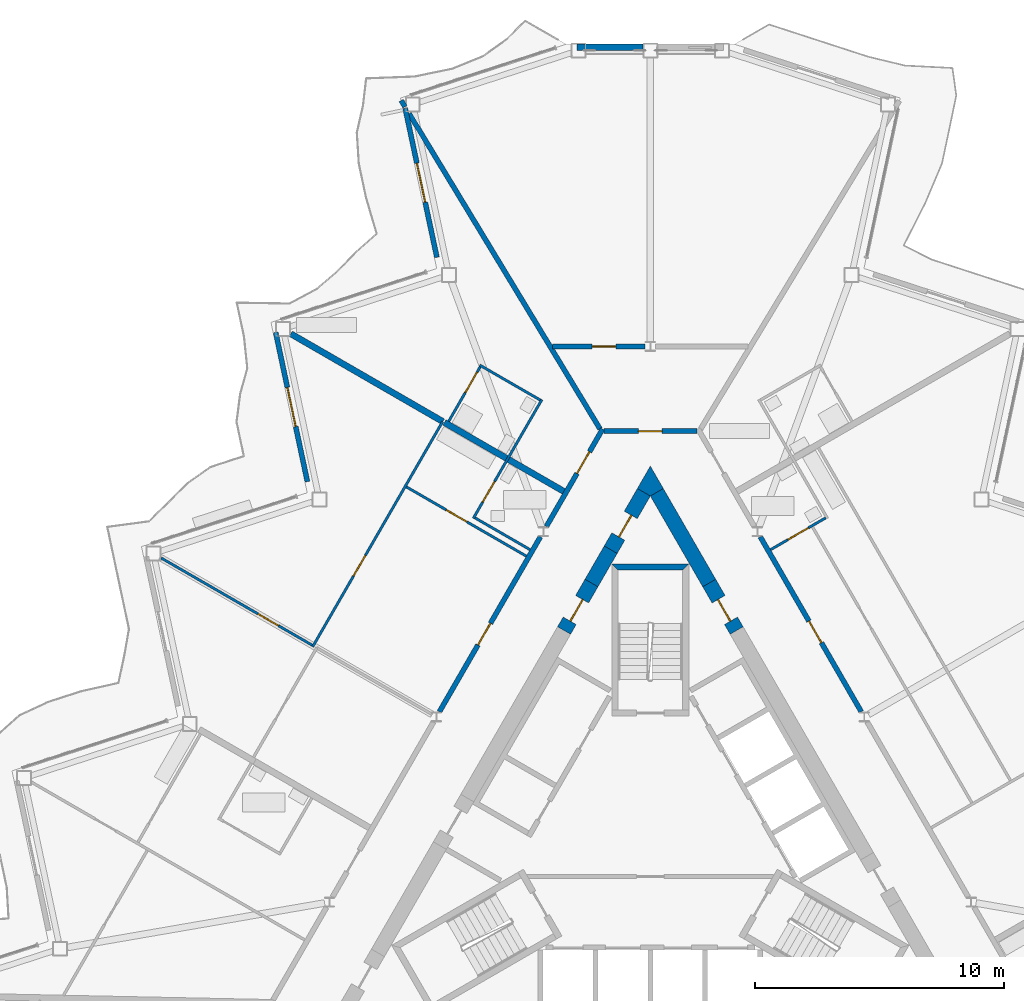
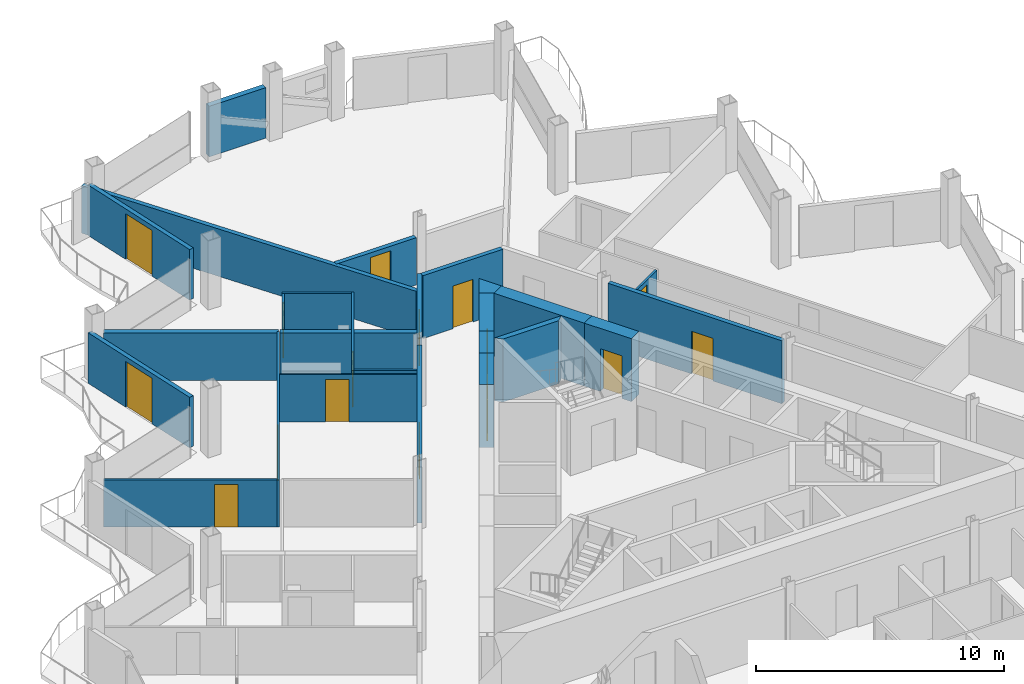
# One storey, part 18 of 27: 27 walls, 16 doors, 16 openings.
"""IFC4 building model written with IfcOpenShell, lengths in metres."""

from ifc_helpers import new_model, si_unit, direction, frame, frame_2d, origin, place, context, subcontext, project, spatial, polyline, rectangle, outline, extrude, material, layer, layer_set, type_object, element, fill, save


model = new_model("IFC4")

# Units and contexts
model_context = context("Model", 3, precision=1e-05, world=origin(), true_north=direction((0.0, 1.0)))
body_context = subcontext(model_context, "Body", "Model", "MODEL_VIEW")
ifc_project = project(units=[si_unit("LENGTHUNIT", "METRE"), si_unit("AREAUNIT", "SQUARE_METRE"), si_unit("VOLUMEUNIT", "CUBIC_METRE"), si_unit("PLANEANGLEUNIT", "RADIAN"), si_unit("MASSUNIT", "GRAM", prefix="KILO")], contexts=[model_context])

# Site, building, storey
site_placement = place(None, origin())
site = spatial("IfcSite", under=ifc_project, at=site_placement, CompositionType="ELEMENT")
building_placement = place(site_placement, origin())
building = spatial("IfcBuilding", under=site, at=building_placement, Name="Cormorant Prow Tower", CompositionType="ELEMENT")
storey_placement = place(building_placement, frame((0.0, 0.0, 312.0)))
storey = spatial("IfcBuildingStorey", under=building, at=storey_placement, Name="L68", CompositionType="ELEMENT", Elevation=312.0)

# Walls
ifc_material_1 = material(Name="Concrete 8000 psi", Category="concrete")
ifc_layer_1 = layer(ifc_material_1, 0.60009765625)
ifc_layer_set_1 = layer_set([ifc_layer_1], Name="Concrete 8000 psi")
wall_type_1 = type_object("IfcWallType", Name="Core shear wall 600", PredefinedType="SHEAR", material=ifc_layer_set_1)
wall_1_placement = place(storey_placement, frame((2.36083984375, 10.322021484375, 0.0), z_axis=(0.0, 0.0, 1.0), x_axis=(-0.500000735859, 0.866024978935, 0.0)))
element("IfcWall", 1, at=wall_1_placement, inside=storey, type_object=wall_type_1, Name="Core wall", PredefinedType="SHEAR", context=body_context, shape_type="SweptSolid", body=[
    extrude(rectangle(XDim=4.2021484375, YDim=0.60009765625, at=frame_2d((2.10107421875, 0.0))), origin(), (0.0, 0.0, 1.0), 3.10009765625),
])
wall_2_placement = place(storey_placement, frame((-1.589599609375, 11.65771484375, 0.0), z_axis=(0.0, 0.0, 1.0), x_axis=(-0.500037594623, -0.866003697431, 0.0)))
element("IfcWall", 2, at=wall_2_placement, inside=storey, type_object=wall_type_1, Name="Core wall", PredefinedType="SHEAR", context=body_context, shape_type="SweptSolid", body=[
    extrude(rectangle(XDim=1.54248046875, YDim=0.60009765625, at=frame_2d((0.771240234375, 0.0))), origin(), (0.0, 0.0, 1.0), 3.10009765625),
])
wall_3_placement = place(storey_placement, origin())
element("IfcWall", 3, at=wall_3_placement, inside=storey, type_object=wall_type_1, Name="Core wall corner", PredefinedType="SHEAR", context=body_context, shape_type="SweptSolid", body=[
    extrude(outline(polyline([(0.0, 13.81103515625), (-0.51953125, 14.111083984375), (0.0, 15.010986328125), (0.51953125, 14.111083984375), (0.0, 13.81103515625)])), origin(), (0.0, 0.0, 1.0), 3.10009765625),
])

# Wall, opening, door
wall_4_placement = place(storey_placement, frame((3.460693359375, 8.416748046875, 0.0), z_axis=(0.0, 0.0, 1.0), x_axis=(-0.499946605688, 0.86605622881, 0.0)))
wall_4 = element("IfcWall", 4, at=wall_4_placement, inside=storey, type_object=wall_type_1, Name="Core wall door panel", PredefinedType="SHEAR", context=body_context, shape_type="SweptSolid", body=[
    extrude(rectangle(XDim=2.199951171875, YDim=0.60009765625, at=frame_2d((1.10009765625, 0.0))), origin(), (0.0, 0.0, 1.0), 3.10009765625),
])
opening_1_placement = place(wall_4_placement, frame((0.449951171875, 0.0, 0.0)))
opening_1 = element("IfcOpeningElement", 5, at=opening_1_placement, cuts=wall_4, Name="Opening L68-C17", PredefinedType="OPENING", context=body_context, shape_type="SweptSolid", body=[
    extrude(rectangle(XDim=1.0, YDim=2.10009765625, at=frame_2d((0.5, 1.050048828125))), frame((0.0, 0.31005859375, 0.0), z_axis=(0.0, -1.0, 0.0), x_axis=(1.0, 0.0, 0.0)), (0.0, 0.0, 1.0), 0.6201171875),
])
ifc_material_2 = material(Name="Painted steel", Category="steel")
door_type_1 = type_object("IfcDoorType", Name="Service door 1000x2100", OperationType="NOTDEFINED", PredefinedType="DOOR", material=ifc_material_2)
door_1_placement = place(opening_1_placement, origin())
door_1 = element("IfcDoor", 6, at=door_1_placement, inside=storey, type_object=door_type_1, Name="Core door, Mechanical riser room", OperationType="SINGLE_SWING_RIGHT", OverallHeight=2.10009765625, OverallWidth=1.0, PredefinedType="DOOR", context=body_context, shape_type="SweptSolid", body=[
    extrude(rectangle(XDim=1.0, YDim=2.10009765625, at=frame_2d((0.5, 1.050048828125))), frame((0.0, 0.05517578125, 0.0), z_axis=(0.0, -1.0, 0.0), x_axis=(1.0, 0.0, 0.0)), (0.0, 0.0, 1.0), 0.050048828125),
])
fill(opening_1, door_1)

wall_5_placement = place(storey_placement, frame((-2.36083984375, 10.322021484375, 0.0), z_axis=(0.0, 0.0, 1.0), x_axis=(-0.499946605688, -0.86605622881, 0.0)))
wall_5 = element("IfcWall", 7, at=wall_5_placement, inside=storey, type_object=wall_type_1, Name="Core wall door panel", PredefinedType="SHEAR", context=body_context, shape_type="SweptSolid", body=[
    extrude(rectangle(XDim=2.199951171875, YDim=0.60009765625, at=frame_2d((1.10009765625, 0.0))), origin(), (0.0, 0.0, 1.0), 3.10009765625),
])
opening_2_placement = place(wall_5_placement, frame((0.75, 0.0, 0.0)))
opening_2 = element("IfcOpeningElement", 8, at=opening_2_placement, cuts=wall_5, Name="Opening L68-C18", PredefinedType="OPENING", context=body_context, shape_type="SweptSolid", body=[
    extrude(rectangle(XDim=1.0, YDim=2.10009765625, at=frame_2d((0.5, 1.050048828125))), frame((0.0, 0.31005859375, 0.0), z_axis=(0.0, -1.0, 0.0), x_axis=(1.0, 0.0, 0.0)), (0.0, 0.0, 1.0), 0.6201171875),
])
door_2_placement = place(opening_2_placement, origin())
door_2 = element("IfcDoor", 9, at=door_2_placement, inside=storey, type_object=door_type_1, Name="Core door, Mechanical riser room", OperationType="SINGLE_SWING_LEFT", OverallHeight=2.10009765625, OverallWidth=1.0, PredefinedType="DOOR", context=body_context, shape_type="SweptSolid", body=[
    extrude(rectangle(XDim=1.0, YDim=2.10009765625, at=frame_2d((0.5, 1.050048828125))), frame((0.0, 0.05517578125, 0.0), z_axis=(0.0, -1.0, 0.0), x_axis=(1.0, 0.0, 0.0)), (0.0, 0.0, 1.0), 0.050048828125),
])
fill(opening_2, door_2)

wall_6_placement = place(storey_placement, frame((-0.259765625, 13.961181640625, 0.0), z_axis=(0.0, 0.0, 1.0), x_axis=(-0.49997936161, -0.866037319036, 0.0)))
wall_6 = element("IfcWall", 10, at=wall_6_placement, inside=storey, type_object=wall_type_1, Name="Core wall door panel", PredefinedType="SHEAR", context=body_context, shape_type="SweptSolid", body=[
    extrude(rectangle(XDim=2.65966796875, YDim=0.60009765625, at=frame_2d((1.329833984375, 0.0))), origin(), (0.0, 0.0, 1.0), 3.10009765625),
])
opening_3_placement = place(wall_6_placement, frame((1.050048828125, 0.0, 0.0)))
opening_3 = element("IfcOpeningElement", 11, at=opening_3_placement, cuts=wall_6, Name="Opening L68-C19", PredefinedType="OPENING", context=body_context, shape_type="SweptSolid", body=[
    extrude(rectangle(XDim=1.0, YDim=2.10009765625, at=frame_2d((0.5, 1.050048828125))), frame((0.0, 0.31005859375, 0.0), z_axis=(0.0, -1.0, 0.0), x_axis=(1.0, 0.0, 0.0)), (0.0, 0.0, 1.0), 0.6201171875),
])
door_3_placement = place(opening_3_placement, origin())
door_3 = element("IfcDoor", 12, at=door_3_placement, inside=storey, type_object=door_type_1, Name="Core door, Mechanical riser room", OperationType="SINGLE_SWING_RIGHT", OverallHeight=2.10009765625, OverallWidth=1.0, PredefinedType="DOOR", context=body_context, shape_type="SweptSolid", body=[
    extrude(rectangle(XDim=1.0, YDim=2.10009765625, at=frame_2d((0.5, 1.050048828125))), frame((0.0, 0.05517578125, 0.0), z_axis=(0.0, -1.0, 0.0), x_axis=(1.0, 0.0, 0.0)), (0.0, 0.0, 1.0), 0.050048828125),
])
fill(opening_3, door_3)

ifc_material_3 = material(Name="Gypsum board corridor wall")
ifc_layer_2 = layer(ifc_material_3, 0.199951171875)
ifc_layer_set_2 = layer_set([ifc_layer_2], Name="Gypsum board corridor wall")
wall_type_2 = type_object("IfcWallType", Name="Corridor wall 200", PredefinedType="PARTITIONING", material=ifc_layer_set_2)
wall_7_placement = place(storey_placement, frame((-8.45849609375, 5.160400390625, 0.0), z_axis=(0.0, 0.0, 1.0), x_axis=(0.499984266882, 0.866034487114, 0.0)))
wall_7 = element("IfcWall", 13, at=wall_7_placement, inside=storey, type_object=wall_type_2, Name="Corridor wall", PredefinedType="PARTITIONING", context=body_context, shape_type="SweptSolid", body=[
    extrude(rectangle(XDim=8.098876953125, YDim=0.199951171875, at=frame_2d((4.04931640625, 0.0))), origin(), (0.0, 0.0, 1.0), 3.10009765625),
])
opening_4_placement = place(wall_7_placement, frame((3.092529296875, 0.0, 0.0)))
opening_4 = element("IfcOpeningElement", 14, at=opening_4_placement, cuts=wall_7, Name="Opening L68-F37", PredefinedType="OPENING", context=body_context, shape_type="SweptSolid", body=[
    extrude(rectangle(XDim=1.0, YDim=2.10009765625, at=frame_2d((0.5, 1.050048828125))), frame((0.0, 0.10986328125, 0.0), z_axis=(0.0, -1.0, 0.0), x_axis=(1.0, 0.0, 0.0)), (0.0, 0.0, 1.0), 0.219970703125),
])
ifc_material_4 = material(Name="Timber door leaf", Category="wood")
door_type_2 = type_object("IfcDoorType", Name="Flat or room entrance door 1000x2100", OperationType="NOTDEFINED", PredefinedType="DOOR", material=ifc_material_4)
door_4_placement = place(opening_4_placement, origin())
door_4 = element("IfcDoor", 15, at=door_4_placement, inside=storey, type_object=door_type_2, Name="Living room door", OperationType="SINGLE_SWING_RIGHT", OverallHeight=2.10009765625, OverallWidth=1.0, PredefinedType="DOOR", context=body_context, shape_type="SweptSolid", body=[
    extrude(rectangle(XDim=1.0, YDim=2.10009765625, at=frame_2d((0.5, 1.050048828125))), frame((0.0, 0.02490234375, 0.0), z_axis=(0.0, -1.0, 0.0), x_axis=(1.0, 0.0, 0.0)), (0.0, 0.0, 1.0), 0.050048828125),
])
fill(opening_4, door_4)

wall_8_placement = place(storey_placement, frame((4.4091796875, 12.17431640625, 0.0), z_axis=(0.0, 0.0, 1.0), x_axis=(0.499984266882, -0.866034487114, 0.0)))
wall_8 = element("IfcWall", 16, at=wall_8_placement, inside=storey, type_object=wall_type_2, Name="Corridor wall", PredefinedType="PARTITIONING", context=body_context, shape_type="SweptSolid", body=[
    extrude(rectangle(XDim=8.098876953125, YDim=0.199951171875, at=frame_2d((4.04931640625, 0.0))), origin(), (0.0, 0.0, 1.0), 3.10009765625),
])
opening_5_placement = place(wall_8_placement, frame((3.90478515625, 0.0, 0.0)))
opening_5 = element("IfcOpeningElement", 17, at=opening_5_placement, cuts=wall_8, Name="Opening L68-F25", PredefinedType="OPENING", context=body_context, shape_type="SweptSolid", body=[
    extrude(rectangle(XDim=1.0, YDim=2.10009765625, at=frame_2d((0.5, 1.050048828125))), frame((0.0, 0.10986328125, 0.0), z_axis=(0.0, -1.0, 0.0), x_axis=(1.0, 0.0, 0.0)), (0.0, 0.0, 1.0), 0.219970703125),
])
door_5_placement = place(opening_5_placement, origin())
door_5 = element("IfcDoor", 18, at=door_5_placement, inside=storey, type_object=door_type_2, Name="Living room door", OperationType="SINGLE_SWING_LEFT", OverallHeight=2.10009765625, OverallWidth=1.0, PredefinedType="DOOR", context=body_context, shape_type="SweptSolid", body=[
    extrude(rectangle(XDim=1.0, YDim=2.10009765625, at=frame_2d((0.5, 1.050048828125))), frame((0.0, 0.02490234375, 0.0), z_axis=(0.0, -1.0, 0.0), x_axis=(1.0, 0.0, 0.0)), (0.0, 0.0, 1.0), 0.050048828125),
])
fill(opening_5, door_5)

wall_9_placement = place(storey_placement, frame((-4.169189453125, 12.589599609375, 0.0), z_axis=(0.0, 0.0, 1.0), x_axis=(0.499950370306, 0.866054055606, 0.0)))
wall_9 = element("IfcWall", 19, at=wall_9_placement, inside=storey, type_object=wall_type_2, Name="Corridor wall", PredefinedType="PARTITIONING", context=body_context, shape_type="SweptSolid", body=[
    extrude(rectangle(XDim=4.5126953125, YDim=0.199951171875, at=frame_2d((2.25634765625, 0.0))), origin(), (0.0, 0.0, 1.0), 3.10009765625),
])
opening_6_placement = place(wall_9_placement, frame((2.459228515625, 0.0, 0.0)))
opening_6 = element("IfcOpeningElement", 20, at=opening_6_placement, cuts=wall_9, Name="Opening L68-F35", PredefinedType="OPENING", context=body_context, shape_type="SweptSolid", body=[
    extrude(rectangle(XDim=1.0, YDim=2.10009765625, at=frame_2d((0.5, 1.050048828125))), frame((0.0, 0.10986328125, 0.0), z_axis=(0.0, -1.0, 0.0), x_axis=(1.0, 0.0, 0.0)), (0.0, 0.0, 1.0), 0.219970703125),
])
door_6_placement = place(opening_6_placement, origin())
door_6 = element("IfcDoor", 21, at=door_6_placement, inside=storey, type_object=door_type_2, Name="Studio living, kitchen and sleeping room door", OperationType="SINGLE_SWING_LEFT", OverallHeight=2.10009765625, OverallWidth=1.0, PredefinedType="DOOR", context=body_context, shape_type="SweptSolid", body=[
    extrude(rectangle(XDim=1.0, YDim=2.10009765625, at=frame_2d((0.5, 1.050048828125))), frame((0.0, 0.02490234375, 0.0), z_axis=(0.0, -1.0, 0.0), x_axis=(1.0, 0.0, 0.0)), (0.0, 0.0, 1.0), 0.050048828125),
])
fill(opening_6, door_6)

wall_10_placement = place(storey_placement, frame((-1.863037109375, 16.4111328125, 0.0), z_axis=(0.0, 0.0, 1.0), x_axis=(1.0, 0.0, 0.0)))
wall_10 = element("IfcWall", 22, at=wall_10_placement, inside=storey, type_object=wall_type_2, Name="Corridor wall", PredefinedType="PARTITIONING", context=body_context, shape_type="SweptSolid", body=[
    extrude(rectangle(XDim=3.72607421875, YDim=0.199951171875, at=frame_2d((1.863037109375, 0.0))), origin(), (0.0, 0.0, 1.0), 3.10009765625),
])
opening_7_placement = place(wall_10_placement, frame((1.387939453125, 0.0, 0.0)))
opening_7 = element("IfcOpeningElement", 23, at=opening_7_placement, cuts=wall_10, Name="Opening L68-F33", PredefinedType="OPENING", context=body_context, shape_type="SweptSolid", body=[
    extrude(rectangle(XDim=0.949951171875, YDim=2.10009765625, at=frame_2d((0.47509765625, 1.050048828125))), frame((0.0, 0.10986328125, 0.0), z_axis=(0.0, -1.0, 0.0), x_axis=(1.0, 0.0, 0.0)), (0.0, 0.0, 1.0), 0.219970703125),
])
ifc_material_5 = material(Name="Timber door leaf", Category="wood")
door_type_3 = type_object("IfcDoorType", Name="Store door 950x2100", OperationType="NOTDEFINED", PredefinedType="DOOR", material=ifc_material_5)
door_7_placement = place(opening_7_placement, origin())
door_7 = element("IfcDoor", 24, at=door_7_placement, inside=storey, type_object=door_type_3, Name="Bicycle store door", OperationType="SINGLE_SWING_LEFT", OverallHeight=2.10009765625, OverallWidth=0.949951171875, PredefinedType="DOOR", context=body_context, shape_type="SweptSolid", body=[
    extrude(rectangle(XDim=0.949951171875, YDim=2.10009765625, at=frame_2d((0.47509765625, 1.050048828125))), frame((0.0, 0.02490234375, 0.0), z_axis=(0.0, -1.0, 0.0), x_axis=(1.0, 0.0, 0.0)), (0.0, 0.0, 1.0), 0.050048828125),
])
fill(opening_7, door_7)

# Wall
ifc_material_6 = material(Name="Gypsum board demising wall")
ifc_layer_3 = layer(ifc_material_6, 0.199951171875)
ifc_layer_set_3 = layer_set([ifc_layer_3], Name="Gypsum board demising wall")
wall_type_3 = type_object("IfcWallType", Name="Demising wall 200", PredefinedType="PARTITIONING", material=ifc_layer_set_3)
wall_11_placement = place(storey_placement, frame((-9.66943359375, 29.144287109375, 0.0), z_axis=(0.0, 0.0, 1.0), x_axis=(0.517770554559, -0.85551952218, 0.0)))
element("IfcWall", 25, at=wall_11_placement, inside=storey, type_object=wall_type_3, Name="Demising wall", PredefinedType="PARTITIONING", context=body_context, shape_type="SweptSolid", body=[
    extrude(rectangle(XDim=14.78369140625, YDim=0.199951171875, at=frame_2d((7.391845703125, 0.0))), origin(), (0.0, 0.0, 1.0), 2.330078125),
])

# Wall, opening, door
wall_12_placement = place(storey_placement, frame((-3.926025390625, 19.81103515625, 0.0), z_axis=(0.0, 0.0, 1.0), x_axis=(1.0, 0.0, 0.0)))
wall_12 = element("IfcWall", 26, at=wall_12_placement, inside=storey, type_object=wall_type_3, Name="Demising wall", PredefinedType="PARTITIONING", context=body_context, shape_type="SweptSolid", body=[
    extrude(rectangle(XDim=3.71826171875, YDim=0.199951171875, at=frame_2d((1.859130859375, 0.0))), origin(), (0.0, 0.0, 1.0), 2.330078125),
])
opening_8_placement = place(wall_12_placement, frame((1.59033203125, 0.0, 0.0)))
opening_8 = element("IfcOpeningElement", 27, at=opening_8_placement, cuts=wall_12, Name="Opening L68-F34", PredefinedType="OPENING", context=body_context, shape_type="SweptSolid", body=[
    extrude(rectangle(XDim=0.949951171875, YDim=2.10009765625, at=frame_2d((0.47509765625, 1.050048828125))), frame((0.0, 0.10986328125, 0.0), z_axis=(0.0, -1.0, 0.0), x_axis=(1.0, 0.0, 0.0)), (0.0, 0.0, 1.0), 0.219970703125),
])
door_8_placement = place(opening_8_placement, origin())
door_8 = element("IfcDoor", 28, at=door_8_placement, inside=storey, type_object=door_type_3, Name="Refuse room door", OperationType="SINGLE_SWING_RIGHT", OverallHeight=2.10009765625, OverallWidth=0.949951171875, PredefinedType="DOOR", context=body_context, shape_type="SweptSolid", body=[
    extrude(rectangle(XDim=0.949951171875, YDim=2.10009765625, at=frame_2d((0.47509765625, 1.050048828125))), frame((0.0, 0.02490234375, 0.0), z_axis=(0.0, -1.0, 0.0), x_axis=(1.0, 0.0, 0.0)), (0.0, 0.0, 1.0), 0.050048828125),
])
fill(opening_8, door_8)

# Wall
wall_13_placement = place(storey_placement, frame((-9.98876953125, 29.671630859375, 0.0), z_axis=(0.0, 0.0, 1.0), x_axis=(0.517931387916, -0.855422163268, 0.0)))
element("IfcWall", 29, at=wall_13_placement, inside=storey, type_object=wall_type_3, Name="Demising wall", PredefinedType="PARTITIONING", context=body_context, shape_type="SweptSolid", body=[
    extrude(rectangle(XDim=0.292236328125, YDim=0.199951171875, at=frame_2d((0.14599609375, 0.0))), origin(), (0.0, 0.0, 1.0), 2.330078125),
])

# Wall, opening, door
ifc_material_7 = material(Name="Gypsum board partition")
ifc_layer_4 = layer(ifc_material_7, 0.10009765625)
ifc_layer_set_4 = layer_set([ifc_layer_4], Name="Gypsum board partition")
wall_type_4 = type_object("IfcWallType", Name="Internal partition 100", PredefinedType="PARTITIONING", material=ifc_layer_set_4)
wall_14_placement = place(storey_placement, frame((-13.544189453125, 7.761962890625, 0.0), z_axis=(0.0, 0.0, 1.0), x_axis=(0.499993819111, 0.866028972293, 0.0)))
wall_14 = element("IfcWall", 30, at=wall_14_placement, inside=storey, type_object=wall_type_4, Name="Internal partition", PredefinedType="PARTITIONING", context=body_context, shape_type="SweptSolid", body=[
    extrude(rectangle(XDim=10.435791015625, YDim=0.10009765625, at=frame_2d((5.2177734375, 0.0))), origin(), (0.0, 0.0, 1.0), 2.330078125),
])
opening_9_placement = place(wall_14_placement, frame((3.27880859375, 0.0, 0.0)))
opening_9 = element("IfcOpeningElement", 31, at=opening_9_placement, cuts=wall_14, Name="Opening L68-F39", PredefinedType="OPENING", context=body_context, shape_type="SweptSolid", body=[
    extrude(rectangle(XDim=0.949951171875, YDim=2.10009765625, at=frame_2d((0.47509765625, 1.050048828125))), frame((0.0, 0.06005859375, 0.0), z_axis=(0.0, -1.0, 0.0), x_axis=(1.0, 0.0, 0.0)), (0.0, 0.0, 1.0), 0.1201171875),
])
ifc_material_8 = material(Name="Timber door leaf", Category="wood")
door_type_4 = type_object("IfcDoorType", Name="Bathroom door 950x2100", OperationType="NOTDEFINED", PredefinedType="DOOR", material=ifc_material_8)
door_9_placement = place(opening_9_placement, origin())
door_9 = element("IfcDoor", 32, at=door_9_placement, inside=storey, type_object=door_type_4, Name="Living room door", OperationType="SINGLE_SWING_LEFT", OverallHeight=2.10009765625, OverallWidth=0.949951171875, PredefinedType="DOOR", context=body_context, shape_type="SweptSolid", body=[
    extrude(rectangle(XDim=0.949951171875, YDim=2.10009765625, at=frame_2d((0.47509765625, 1.050048828125))), frame((0.0, 0.02490234375, 0.0), z_axis=(0.0, -1.0, 0.0), x_axis=(1.0, 0.0, 0.0)), (0.0, 0.0, 1.0), 0.050048828125),
])
fill(opening_9, door_9)

wall_15_placement = place(storey_placement, frame((-19.615478515625, 11.3251953125, 0.0), z_axis=(0.0, 0.0, 1.0), x_axis=(0.866013987544, -0.500019772988, 0.0)))
wall_15 = element("IfcWall", 33, at=wall_15_placement, inside=storey, type_object=wall_type_4, Name="Internal partition", PredefinedType="PARTITIONING", context=body_context, shape_type="SweptSolid", body=[
    extrude(rectangle(XDim=6.989501953125, YDim=0.10009765625, at=frame_2d((3.49462890625, 0.0))), origin(), (0.0, 0.0, 1.0), 2.330078125),
])
opening_10_placement = place(wall_15_placement, frame((4.480224609375, 0.0, 0.0)))
opening_10 = element("IfcOpeningElement", 34, at=opening_10_placement, cuts=wall_15, Name="Opening L68-F40", PredefinedType="OPENING", context=body_context, shape_type="SweptSolid", body=[
    extrude(rectangle(XDim=0.949951171875, YDim=2.10009765625, at=frame_2d((0.47509765625, 1.050048828125))), frame((0.0, 0.06005859375, 0.0), z_axis=(0.0, -1.0, 0.0), x_axis=(1.0, 0.0, 0.0)), (0.0, 0.0, 1.0), 0.1201171875),
])
door_10_placement = place(opening_10_placement, origin())
door_10 = element("IfcDoor", 35, at=door_10_placement, inside=storey, type_object=door_type_4, Name="Dining room door", OperationType="SINGLE_SWING_RIGHT", OverallHeight=2.10009765625, OverallWidth=0.949951171875, PredefinedType="DOOR", context=body_context, shape_type="SweptSolid", body=[
    extrude(rectangle(XDim=0.949951171875, YDim=2.10009765625, at=frame_2d((0.47509765625, 1.050048828125))), frame((0.0, 0.02490234375, 0.0), z_axis=(0.0, -1.0, 0.0), x_axis=(1.0, 0.0, 0.0)), (0.0, 0.0, 1.0), 0.050048828125),
])
fill(opening_10, door_10)

wall_16_placement = place(storey_placement, frame((-9.783203125, 14.176513671875, 0.0), z_axis=(0.0, 0.0, 1.0), x_axis=(0.866030435321, -0.499991285022, 0.0)))
wall_16 = element("IfcWall", 36, at=wall_16_placement, inside=storey, type_object=wall_type_4, Name="Internal partition", PredefinedType="PARTITIONING", context=body_context, shape_type="SweptSolid", body=[
    extrude(rectangle(XDim=5.55517578125, YDim=0.10009765625, at=frame_2d((2.777587890625, 0.0))), origin(), (0.0, 0.0, 1.0), 2.330078125),
])
opening_11_placement = place(wall_16_placement, frame((1.85205078125, 0.0, 0.0)))
opening_11 = element("IfcOpeningElement", 37, at=opening_11_placement, cuts=wall_16, Name="Opening L68-F38", PredefinedType="OPENING", context=body_context, shape_type="SweptSolid", body=[
    extrude(rectangle(XDim=0.949951171875, YDim=2.10009765625, at=frame_2d((0.47509765625, 1.050048828125))), frame((0.0, 0.06005859375, 0.0), z_axis=(0.0, -1.0, 0.0), x_axis=(1.0, 0.0, 0.0)), (0.0, 0.0, 1.0), 0.1201171875),
])
door_11_placement = place(opening_11_placement, origin())
door_11 = element("IfcDoor", 38, at=door_11_placement, inside=storey, type_object=door_type_4, Name="Living room door", OperationType="SINGLE_SWING_RIGHT", OverallHeight=2.10009765625, OverallWidth=0.949951171875, PredefinedType="DOOR", context=body_context, shape_type="SweptSolid", body=[
    extrude(rectangle(XDim=0.949951171875, YDim=2.10009765625, at=frame_2d((0.47509765625, 1.050048828125))), frame((0.0, 0.02490234375, 0.0), z_axis=(0.0, -1.0, 0.0), x_axis=(1.0, 0.0, 0.0)), (0.0, 0.0, 1.0), 0.050048828125),
])
fill(opening_11, door_11)

wall_17_placement = place(storey_placement, frame((-7.098876953125, 12.915283203125, 0.0), z_axis=(0.0, 0.0, 1.0), x_axis=(0.49997732567, 0.866038494419, 0.0)))
wall_17 = element("IfcWall", 39, at=wall_17_placement, inside=storey, type_object=wall_type_4, Name="Internal partition", PredefinedType="PARTITIONING", context=body_context, shape_type="SweptSolid", body=[
    extrude(rectangle(XDim=5.500244140625, YDim=0.10009765625, at=frame_2d((2.75, 0.0))), origin(), (0.0, 0.0, 1.0), 2.330078125),
])
opening_12_placement = place(wall_17_placement, frame((0.75634765625, 0.0, 0.0)))
opening_12 = element("IfcOpeningElement", 40, at=opening_12_placement, cuts=wall_17, Name="Opening L68-F42", PredefinedType="OPENING", context=body_context, shape_type="SweptSolid", body=[
    extrude(rectangle(XDim=0.949951171875, YDim=2.10009765625, at=frame_2d((0.47509765625, 1.050048828125))), frame((0.0, 0.06005859375, 0.0), z_axis=(0.0, -1.0, 0.0), x_axis=(1.0, 0.0, 0.0)), (0.0, 0.0, 1.0), 0.1201171875),
])
door_12_placement = place(opening_12_placement, origin())
door_12 = element("IfcDoor", 41, at=door_12_placement, inside=storey, type_object=door_type_4, Name="Kitchen door", OperationType="SINGLE_SWING_LEFT", OverallHeight=2.10009765625, OverallWidth=0.949951171875, PredefinedType="DOOR", context=body_context, shape_type="SweptSolid", body=[
    extrude(rectangle(XDim=0.949951171875, YDim=2.10009765625, at=frame_2d((0.47509765625, 1.050048828125))), frame((0.0, 0.02490234375, 0.0), z_axis=(0.0, -1.0, 0.0), x_axis=(1.0, 0.0, 0.0)), (0.0, 0.0, 1.0), 0.050048828125),
])
fill(opening_12, door_12)

# Wall
wall_18_placement = place(storey_placement, frame((-6.842041015625, 19.060302734375, 0.0), z_axis=(0.0, 0.0, 1.0), x_axis=(0.866034573852, -0.49998411664, 0.0)))
element("IfcWall", 42, at=wall_18_placement, inside=storey, type_object=wall_type_4, Name="Internal partition", PredefinedType="PARTITIONING", context=body_context, shape_type="SweptSolid", body=[
    extrude(rectangle(XDim=2.7998046875, YDim=0.10009765625, at=frame_2d((1.39990234375, 0.0))), origin(), (0.0, 0.0, 1.0), 2.330078125),
])

# Wall, opening, door
wall_19_placement = place(storey_placement, frame((4.822265625, 11.65869140625, 0.0), z_axis=(0.0, 0.0, 1.0), x_axis=(0.866030925526, 0.499990435942, 0.0)))
wall_19 = element("IfcWall", 43, at=wall_19_placement, inside=storey, type_object=wall_type_4, Name="Internal partition", PredefinedType="PARTITIONING", context=body_context, shape_type="SweptSolid", body=[
    extrude(rectangle(XDim=2.5498046875, YDim=0.10009765625, at=frame_2d((1.27490234375, 0.0))), origin(), (0.0, 0.0, 1.0), 2.330078125),
])
opening_13_placement = place(wall_19_placement, frame((0.800048828125, 0.0, 0.0)))
opening_13 = element("IfcOpeningElement", 44, at=opening_13_placement, cuts=wall_19, Name="Opening L68-F26", PredefinedType="OPENING", context=body_context, shape_type="SweptSolid", body=[
    extrude(rectangle(XDim=0.949951171875, YDim=2.10009765625, at=frame_2d((0.47509765625, 1.050048828125))), frame((0.0, 0.06005859375, 0.0), z_axis=(0.0, -1.0, 0.0), x_axis=(1.0, 0.0, 0.0)), (0.0, 0.0, 1.0), 0.1201171875),
])
door_13_placement = place(opening_13_placement, origin())
door_13 = element("IfcDoor", 45, at=door_13_placement, inside=storey, type_object=door_type_4, Name="Living room door", OperationType="SINGLE_SWING_RIGHT", OverallHeight=2.10009765625, OverallWidth=0.949951171875, PredefinedType="DOOR", context=body_context, shape_type="SweptSolid", body=[
    extrude(rectangle(XDim=0.949951171875, YDim=2.10009765625, at=frame_2d((0.47509765625, 1.050048828125))), frame((0.0, 0.02490234375, 0.0), z_axis=(0.0, -1.0, 0.0), x_axis=(1.0, 0.0, 0.0)), (0.0, 0.0, 1.0), 0.050048828125),
])
fill(opening_13, door_13)

# Wall
wall_20_placement = place(storey_placement, frame((-7.030517578125, 12.93359375, 0.0), z_axis=(0.0, 0.0, 1.0), x_axis=(0.866030925526, -0.499990435942, 0.0)))
element("IfcWall", 46, at=wall_20_placement, inside=storey, type_object=wall_type_4, Name="Internal partition", PredefinedType="PARTITIONING", context=body_context, shape_type="SweptSolid", body=[
    extrude(rectangle(XDim=2.5498046875, YDim=0.10009765625, at=frame_2d((1.27490234375, 0.0))), origin(), (0.0, 0.0, 1.0), 2.330078125),
])

# Wall, opening, door
wall_21_placement = place(storey_placement, frame((-8.086181640625, 16.805419921875, 0.0), z_axis=(0.0, 0.0, 1.0), x_axis=(0.50001820224, 0.866014894461, 0.0)))
wall_21 = element("IfcWall", 47, at=wall_21_placement, inside=storey, type_object=wall_type_4, Name="Internal partition", PredefinedType="PARTITIONING", context=body_context, shape_type="SweptSolid", body=[
    extrude(rectangle(XDim=2.52490234375, YDim=0.10009765625, at=frame_2d((1.262451171875, 0.0))), origin(), (0.0, 0.0, 1.0), 2.330078125),
])
opening_14_placement = place(wall_21_placement, frame((1.324951171875, 0.0, 0.0)))
opening_14 = element("IfcOpeningElement", 48, at=opening_14_placement, cuts=wall_21, Name="Opening L68-F36", PredefinedType="OPENING", context=body_context, shape_type="SweptSolid", body=[
    extrude(rectangle(XDim=0.949951171875, YDim=2.10009765625, at=frame_2d((0.47509765625, 1.050048828125))), frame((0.0, 0.06005859375, 0.0), z_axis=(0.0, -1.0, 0.0), x_axis=(1.0, 0.0, 0.0)), (0.0, 0.0, 1.0), 0.1201171875),
])
door_14_placement = place(opening_14_placement, origin())
door_14 = element("IfcDoor", 49, at=door_14_placement, inside=storey, type_object=door_type_4, Name="Studio living, kitchen and sleeping room door", OperationType="SINGLE_SWING_RIGHT", OverallHeight=2.10009765625, OverallWidth=0.949951171875, PredefinedType="DOOR", context=body_context, shape_type="SweptSolid", body=[
    extrude(rectangle(XDim=0.949951171875, YDim=2.10009765625, at=frame_2d((0.47509765625, 1.050048828125))), frame((0.0, 0.02490234375, 0.0), z_axis=(0.0, -1.0, 0.0), x_axis=(1.0, 0.0, 0.0)), (0.0, 0.0, 1.0), 0.050048828125),
])
fill(opening_14, door_14)

# Walls
ifc_material_9 = material(Name="Concrete 8000 psi", Category="concrete")
ifc_layer_5 = layer(ifc_material_9, 0.25)
ifc_layer_set_5 = layer_set([ifc_layer_5], Name="Concrete 8000 psi")
wall_type_5 = type_object("IfcWallType", Name="Stair wall 250", PredefinedType="SHEAR", material=ifc_layer_set_5)
wall_22_placement = place(storey_placement, origin())
element("IfcWall", 50, at=wall_22_placement, inside=storey, type_object=wall_type_5, Name="Stair ST3 enclosure wall (end)", PredefinedType="SHEAR", context=body_context, shape_type="SweptSolid", body=[
    extrude(outline(polyline([(1.5439453125, 11.0869140625), (-1.5439453125, 11.0869140625), (-1.2939453125, 10.8369140625), (1.2939453125, 10.8369140625), (1.5439453125, 11.0869140625)])), origin(), (0.0, 0.0, 1.0), 3.10009765625),
])
ifc_material_10 = material(Name="Acoustic gypsum party wall")
ifc_layer_6 = layer(ifc_material_10, 0.25)
ifc_layer_set_6 = layer_set([ifc_layer_6], Name="Acoustic gypsum party wall")
wall_type_6 = type_object("IfcWallType", Name="Suite party wall 250", PredefinedType="PARTITIONING", material=ifc_layer_set_6)
wall_23_placement = place(storey_placement, frame((-14.41650390625, 20.315673828125, 0.0), z_axis=(0.0, 0.0, 1.0), x_axis=(0.866022207469, -0.50000553614, 0.0)))
element("IfcWall", 51, at=wall_23_placement, inside=storey, type_object=wall_type_6, Name="Suite party wall", PredefinedType="PARTITIONING", context=body_context, shape_type="SweptSolid", body=[
    extrude(rectangle(XDim=7.04248046875, YDim=0.25, at=frame_2d((3.521240234375, 0.0))), origin(), (0.0, 0.0, 1.0), 2.330078125),
])
wall_24_placement = place(storey_placement, frame((-8.257080078125, 16.759521484375, 0.0), z_axis=(0.0, 0.0, 1.0), x_axis=(0.866034739526, -0.499983829672, 0.0)))
element("IfcWall", 52, at=wall_24_placement, inside=storey, type_object=wall_type_6, Name="Suite party wall", PredefinedType="PARTITIONING", context=body_context, shape_type="SweptSolid", body=[
    extrude(rectangle(XDim=5.525146484375, YDim=0.25, at=frame_2d((2.7626953125, 0.0))), origin(), (0.0, 0.0, 1.0), 2.330078125),
])
ifc_material_11 = material(Name="Terracotta", Category="masonry")
ifc_layer_7 = layer(ifc_material_11, 0.25)
ifc_layer_set_7 = layer_set([ifc_layer_7], Name="Terracotta")
wall_type_7 = type_object("IfcWallType", Name="Terracotta bay wall 250", PredefinedType="SOLIDWALL", material=ifc_layer_set_7)
wall_25_placement = place(storey_placement, frame((-0.300048828125, 31.803955078125, 0.0), z_axis=(0.0, 0.0, 1.0), x_axis=(-1.0, 0.0, 0.0)))
element("IfcWall", 53, at=wall_25_placement, inside=storey, type_object=wall_type_7, Name="Terracotta bay wall N01", PredefinedType="SOLIDWALL", context=body_context, shape_type="SweptSolid", body=[
    extrude(rectangle(XDim=2.64013671875, YDim=0.25, at=frame_2d((1.320068359375, 0.0))), origin(), (0.0, 0.0, 1.0), 2.48779296875),
])

# Wall, opening, door
ifc_material_12 = material(Name="Terracotta", Category="masonry")
ifc_layer_8 = layer(ifc_material_12, 0.199951171875)
ifc_layer_set_8 = layer_set([ifc_layer_8], Name="Terracotta")
wall_type_8 = type_object("IfcWallType", Name="Terracotta jamb wall 200", PredefinedType="SOLIDWALL", material=ifc_layer_set_8)
wall_26_placement = place(storey_placement, frame((-9.831787109375, 29.36572265625, 0.0), z_axis=(0.0, 0.0, 1.0), x_axis=(0.207932234858, -0.978143233738, 0.0)))
wall_26 = element("IfcWall", 54, at=wall_26_placement, inside=storey, type_object=wall_type_8, Name="Terracotta jamb wall WNW01", PredefinedType="SOLIDWALL", context=body_context, shape_type="SweptSolid", body=[
    extrude(rectangle(XDim=6.11962890625, YDim=0.199951171875, at=frame_2d((3.059814453125, 0.0))), origin(), (0.0, 0.0, 1.0), 2.48779296875),
])
opening_15_placement = place(wall_26_placement, frame((2.259765625, 0.0, 0.0)))
opening_15 = element("IfcOpeningElement", 55, at=opening_15_placement, cuts=wall_26, Name="Opening ED68.11", PredefinedType="OPENING", context=body_context, shape_type="SweptSolid", body=[
    extrude(rectangle(XDim=1.60009765625, YDim=2.25, at=frame_2d((0.800048828125, 1.125))), frame((0.0, 0.10986328125, 0.0), z_axis=(0.0, -1.0, 0.0), x_axis=(1.0, 0.0, 0.0)), (0.0, 0.0, 1.0), 0.219970703125),
])
ifc_material_13 = material(Name="Aluminium 6063-T6", Category="aluminium")
door_type_5 = type_object("IfcDoorType", Name="Balcony door 1600x2250", OperationType="DOUBLE_DOOR_SINGLE_SWING", PredefinedType="DOOR", material=ifc_material_13)
door_15_placement = place(opening_15_placement, origin())
door_15 = element("IfcDoor", 56, at=door_15_placement, inside=storey, type_object=door_type_5, Name="Balcony door WNW01 ED68.11", OperationType="DOUBLE_DOOR_SINGLE_SWING", OverallHeight=2.25, OverallWidth=1.60009765625, PredefinedType="DOOR", context=body_context, shape_type="SweptSolid", body=[
    extrude(rectangle(XDim=1.60009765625, YDim=2.25, at=frame_2d((0.800048828125, 1.125))), frame((0.0, 0.02490234375, 0.0), z_axis=(0.0, -1.0, 0.0), x_axis=(1.0, 0.0, 0.0)), (0.0, 0.0, 1.0), 0.050048828125),
])
fill(opening_15, door_15)

wall_27_placement = place(storey_placement, frame((-15.024658203125, 20.37158203125, 0.0), z_axis=(0.0, 0.0, 1.0), x_axis=(0.207932234858, -0.978143233738, 0.0)))
wall_27 = element("IfcWall", 57, at=wall_27_placement, inside=storey, type_object=wall_type_8, Name="Terracotta jamb wall WNW03", PredefinedType="SOLIDWALL", context=body_context, shape_type="SweptSolid", body=[
    extrude(rectangle(XDim=6.11962890625, YDim=0.199951171875, at=frame_2d((3.059814453125, 0.0))), origin(), (0.0, 0.0, 1.0), 2.48779296875),
])
opening_16_placement = place(wall_27_placement, frame((2.259765625, 0.0, 0.0)))
opening_16 = element("IfcOpeningElement", 58, at=opening_16_placement, cuts=wall_27, Name="Opening ED68.12", PredefinedType="OPENING", context=body_context, shape_type="SweptSolid", body=[
    extrude(rectangle(XDim=1.60009765625, YDim=2.25, at=frame_2d((0.800048828125, 1.125))), frame((0.0, 0.10986328125, 0.0), z_axis=(0.0, -1.0, 0.0), x_axis=(1.0, 0.0, 0.0)), (0.0, 0.0, 1.0), 0.219970703125),
])
door_16_placement = place(opening_16_placement, origin())
door_16 = element("IfcDoor", 59, at=door_16_placement, inside=storey, type_object=door_type_5, Name="Balcony door WNW03 ED68.12", OperationType="DOUBLE_DOOR_SINGLE_SWING", OverallHeight=2.25, OverallWidth=1.60009765625, PredefinedType="DOOR", context=body_context, shape_type="SweptSolid", body=[
    extrude(rectangle(XDim=1.60009765625, YDim=2.25, at=frame_2d((0.800048828125, 1.125))), frame((0.0, 0.02490234375, 0.0), z_axis=(0.0, -1.0, 0.0), x_axis=(1.0, 0.0, 0.0)), (0.0, 0.0, 1.0), 0.050048828125),
])
fill(opening_16, door_16)

save(model, "model.ifc")
